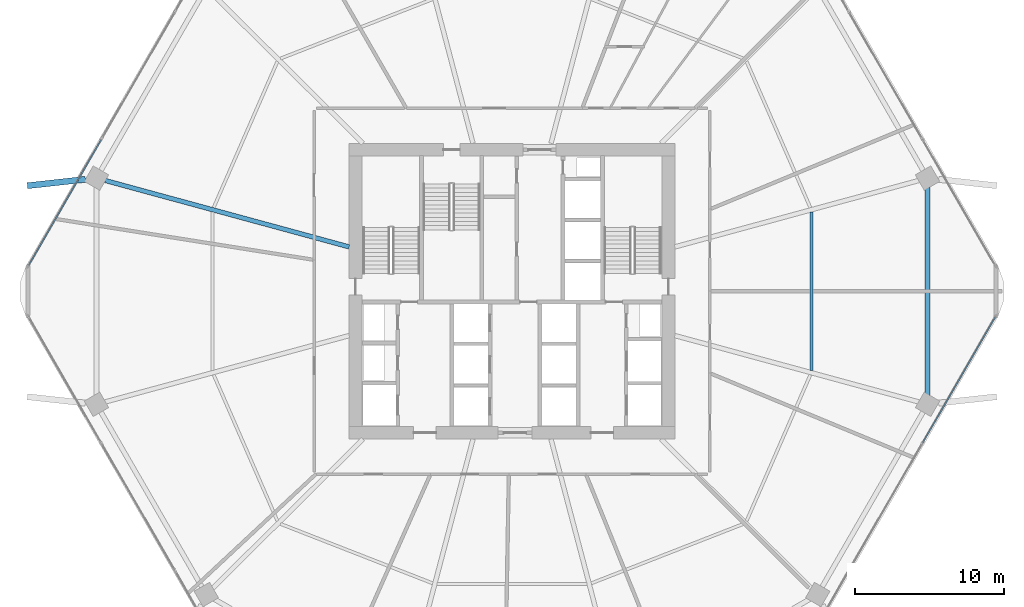
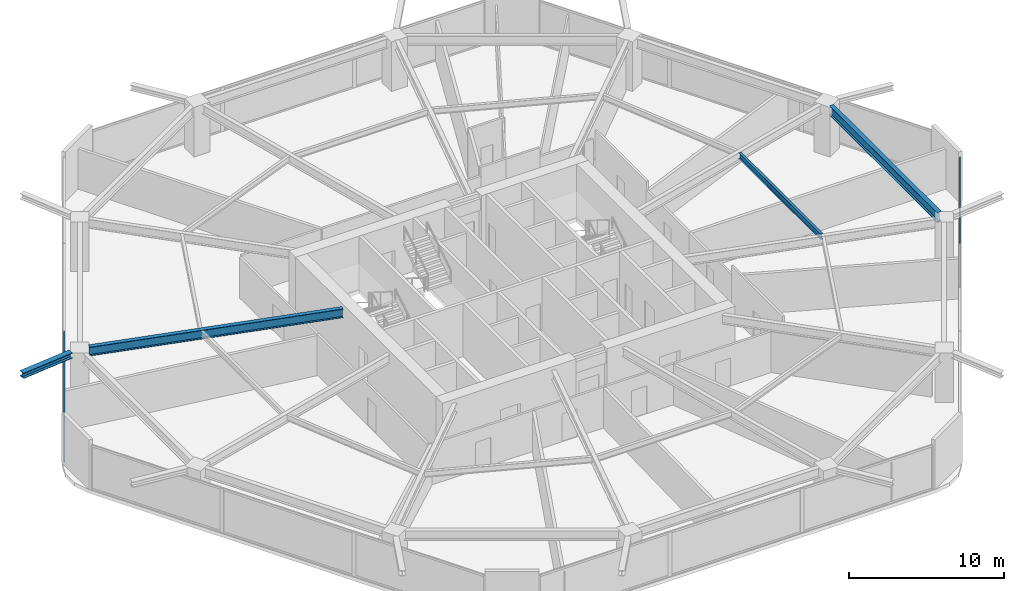
# One storey, part 12 of 25: 4 beams, 4 members, 2 elements without a shape of their own.
"""IFC4 building model written with IfcOpenShell, lengths in metres."""

from ifc_helpers import new_model, si_unit, direction, frame, origin, origin_2d, place, context, subcontext, project, spatial, hollow_rectangle, i_section, extrude, material, material_profile, profile_set, type_object, element, aggregate, save


model = new_model("IFC4")

# Units and contexts
model_context = context("Model", 3, precision=1e-05, world=origin(), true_north=direction((0.0, 1.0)))
body_context = subcontext(model_context, "Body", "Model", "MODEL_VIEW")
ifc_project = project(units=[si_unit("LENGTHUNIT", "METRE"), si_unit("AREAUNIT", "SQUARE_METRE"), si_unit("VOLUMEUNIT", "CUBIC_METRE"), si_unit("PLANEANGLEUNIT", "RADIAN"), si_unit("MASSUNIT", "GRAM", prefix="KILO")], contexts=[model_context])

# Site, building, storey
site_placement = place(None, origin())
site = spatial("IfcSite", under=ifc_project, at=site_placement, CompositionType="ELEMENT")
building_placement = place(site_placement, origin())
building = spatial("IfcBuilding", under=site, at=building_placement, Name="Zuhravey Tower", CompositionType="ELEMENT")
storey_placement = place(building_placement, frame((0.0, 0.0, 70.800048828125)))
storey = spatial("IfcBuildingStorey", under=building, at=storey_placement, Name="L17", CompositionType="ELEMENT", Elevation=70.800048828125)

# Curtain wall, members
ifc_material_1 = material(Name="Thermally broken anodised aluminium", Category="aluminium")
curtain_wall_type = type_object("IfcCurtainWallType", Name="School Low-E Unitised Curtain Wall CW1", PredefinedType="NOTDEFINED", material=ifc_material_1)
curtain_wall_1_placement = place(storey_placement, origin())
curtain_wall_1 = element("IfcCurtainWall", 1, at=curtain_wall_1_placement, inside=storey, type_object=curtain_wall_type, Name="L17 CW1 CW-L17-F6-1", PredefinedType="NOTDEFINED")
ifc_material_2 = material(Name="Anodised aluminium", Category="aluminium")
ifc_material_profile_1 = material_profile(ifc_material_2, hollow_rectangle(XDim=0.090087890625, YDim=0.14990234375, WallThickness=0.0048828125, at=origin_2d()), Name="ALU-RHS-90x150x5")
ifc_profile_set_1 = profile_set([ifc_material_profile_1], Name="Anodised aluminium")
member_type = type_object("IfcMemberType", Name="Curtain-Wall Transom 90x150", PredefinedType="USERDEFINED", material=ifc_profile_set_1)
member_1_placement = place(storey_placement, frame((68.43359375, 30.259521484375, 0.044921875), z_axis=(-0.500008393077, -0.866020557985, 0.0), x_axis=(0.866020557985, -0.500008393077, 0.0)))
member_1 = element("IfcMember", 2, at=member_1_placement, type_object=member_type, Name="CW1 transom 1.1", ObjectType="TRANSOM", PredefinedType="USERDEFINED", context=body_context, shape_type="SweptSolid", body=[
    extrude(hollow_rectangle(XDim=0.090087890625, YDim=0.14990234375, WallThickness=0.0048828125, at=origin_2d()), origin(), (0.0, 0.0, 1.0), 9.731201171875),
])
member_2_placement = place(storey_placement, frame((68.43359375, 30.259521484375, 3.447021484375), z_axis=(-0.500008393077, -0.866020557985, 0.0), x_axis=(0.866020557985, -0.500008393077, 0.0)))
member_2 = element("IfcMember", 3, at=member_2_placement, type_object=member_type, Name="CW1 transom 1.2", ObjectType="TRANSOM", PredefinedType="USERDEFINED", context=body_context, shape_type="SweptSolid", body=[
    extrude(hollow_rectangle(XDim=0.090087890625, YDim=0.14990234375, WallThickness=0.0048828125, at=origin_2d()), origin(), (0.0, 0.0, 1.0), 9.731201171875),
])
aggregate(curtain_wall_1, [member_1, member_2])

curtain_wall_2_placement = place(storey_placement, origin())
curtain_wall_2 = element("IfcCurtainWall", 4, at=curtain_wall_2_placement, inside=storey, type_object=curtain_wall_type, Name="L17 CW1 CW-L17-F3-1", PredefinedType="NOTDEFINED")
member_3_placement = place(storey_placement, frame((3.56640625, 33.740478515625, 0.044921875), z_axis=(0.500008393077, 0.866020557985, 0.0), x_axis=(-0.866020557985, 0.500008393077, 0.0)))
member_3 = element("IfcMember", 5, at=member_3_placement, type_object=member_type, Name="CW1 transom 1.1", ObjectType="TRANSOM", PredefinedType="USERDEFINED", context=body_context, shape_type="SweptSolid", body=[
    extrude(hollow_rectangle(XDim=0.090087890625, YDim=0.14990234375, WallThickness=0.0048828125, at=origin_2d()), origin(), (0.0, 0.0, 1.0), 9.731201171875),
])
member_4_placement = place(storey_placement, frame((3.56640625, 33.740478515625, 3.447021484375), z_axis=(0.500008393077, 0.866020557985, 0.0), x_axis=(-0.866020557985, 0.500008393077, 0.0)))
member_4 = element("IfcMember", 6, at=member_4_placement, type_object=member_type, Name="CW1 transom 1.2", ObjectType="TRANSOM", PredefinedType="USERDEFINED", context=body_context, shape_type="SweptSolid", body=[
    extrude(hollow_rectangle(XDim=0.090087890625, YDim=0.14990234375, WallThickness=0.0048828125, at=origin_2d()), origin(), (0.0, 0.0, 1.0), 9.731201171875),
])
aggregate(curtain_wall_2, [member_3, member_4])

# Beams
ifc_material_3 = material(Name="Steel SM460", Category="steel")
ifc_material_profile_2 = material_profile(ifc_material_3, i_section(OverallWidth=0.406982421875, OverallDepth=0.427978515625, WebThickness=0.02001953125, FlangeThickness=0.034912109375, at=origin_2d()), Name="H-428x407x20x35")
ifc_profile_set_2 = profile_set([ifc_material_profile_2], Name="Steel SM460")
beam_type_1 = type_object("IfcBeamType", Name="Exoskeleton Node Tie Beam H428x407", PredefinedType="BEAM", material=ifc_profile_set_2)
beam_1_placement = place(storey_placement, frame((7.3671875, 39.509765625, 3.7060546875), z_axis=(-0.994007881498, -0.109308423825, 0.0), x_axis=(0.109308423825, -0.994007881498, 0.0)))
element("IfcBeam", 7, at=beam_1_placement, inside=storey, type_object=beam_type_1, Name="L17 Exoskeleton Node Tie NT1-06", PredefinedType="BEAM", context=body_context, shape_type="SweptSolid", body=[
    extrude(i_section(OverallWidth=0.406982421875, OverallDepth=0.427978515625, WebThickness=0.02001953125, FlangeThickness=0.034912109375, at=origin_2d()), origin(), (0.0, 0.0, 1.0), 3.9130859375),
])
ifc_material_4 = material(Name="Steel SM355", Category="steel")
ifc_material_profile_3 = material_profile(ifc_material_4, i_section(OverallWidth=0.320068359375, OverallDepth=0.75, WebThickness=0.013916015625, FlangeThickness=0.02490234375, at=origin_2d()), Name="H-750x320x14x25")
ifc_profile_set_3 = profile_set([ifc_material_profile_3], Name="Steel SM355")
beam_type_2 = type_object("IfcBeamType", Name="Perimeter Ring Beam H750x320", PredefinedType="BEAM", material=ifc_profile_set_3)
beam_2_placement = place(storey_placement, frame((63.88916015625, 25.011474609375, 3.544921875), z_axis=(0.0, 1.0, 0.0), x_axis=(-1.0, 0.0, 0.0)))
element("IfcBeam", 8, at=beam_2_placement, inside=storey, type_object=beam_type_2, Name="L17 PB1 BM-L17-PB-12", PredefinedType="BEAM", context=body_context, shape_type="SweptSolid", body=[
    extrude(i_section(OverallWidth=0.320068359375, OverallDepth=0.75, WebThickness=0.013916015625, FlangeThickness=0.02490234375, at=origin_2d()), origin(), (0.0, 0.0, 1.0), 13.97705078125),
])
ifc_material_profile_4 = material_profile(ifc_material_4, i_section(OverallWidth=0.300048828125, OverallDepth=0.699951171875, WebThickness=0.012939453125, FlangeThickness=0.02392578125, at=origin_2d()), Name="H-700x300x13x24")
ifc_profile_set_4 = profile_set([ifc_material_profile_4], Name="Steel SM355")
beam_type_3 = type_object("IfcBeamType", Name="Radial Primary Girder H700x300", PredefinedType="BEAM", material=ifc_profile_set_4)
beam_3_placement = place(storey_placement, frame((25.072021484375, 34.974609375, 3.570068359375), z_axis=(-0.964892480455, 0.26264520015, 0.0), x_axis=(-0.26264520015, -0.964892480455, 0.0)))
element("IfcBeam", 9, at=beam_3_placement, inside=storey, type_object=beam_type_3, Name="L17 RG1 BM-L17-RAD-06", PredefinedType="BEAM", context=body_context, shape_type="SweptSolid", body=[
    extrude(i_section(OverallWidth=0.300048828125, OverallDepth=0.699951171875, WebThickness=0.012939453125, FlangeThickness=0.02392578125, at=origin_2d()), origin(), (0.0, 0.0, 1.0), 16.975341796875),
])
ifc_material_profile_5 = material_profile(ifc_material_4, i_section(OverallWidth=0.199951171875, OverallDepth=0.449951171875, WebThickness=0.009033203125, FlangeThickness=0.013916015625, at=origin_2d()), Name="H-450x200x9x14")
ifc_profile_set_5 = profile_set([ifc_material_profile_5], Name="Steel SM355")
beam_type_4 = type_object("IfcBeamType", Name="Secondary Floor Joist H450x200", PredefinedType="JOIST", material=ifc_profile_set_5)
beam_4_placement = place(storey_placement, frame((56.0869140625, 26.686279296875, 3.695068359375), z_axis=(0.0, 1.0, 0.0), x_axis=(-1.0, 0.0, 0.0)))
element("IfcBeam", 10, at=beam_4_placement, inside=storey, type_object=beam_type_4, Name="L17 SJ1 BM-L17-SJ-12-1", PredefinedType="JOIST", context=body_context, shape_type="SweptSolid", body=[
    extrude(i_section(OverallWidth=0.199951171875, OverallDepth=0.449951171875, WebThickness=0.009033203125, FlangeThickness=0.013916015625, at=origin_2d()), origin(), (0.0, 0.0, 1.0), 10.62744140625),
])

save(model, "model.ifc")
